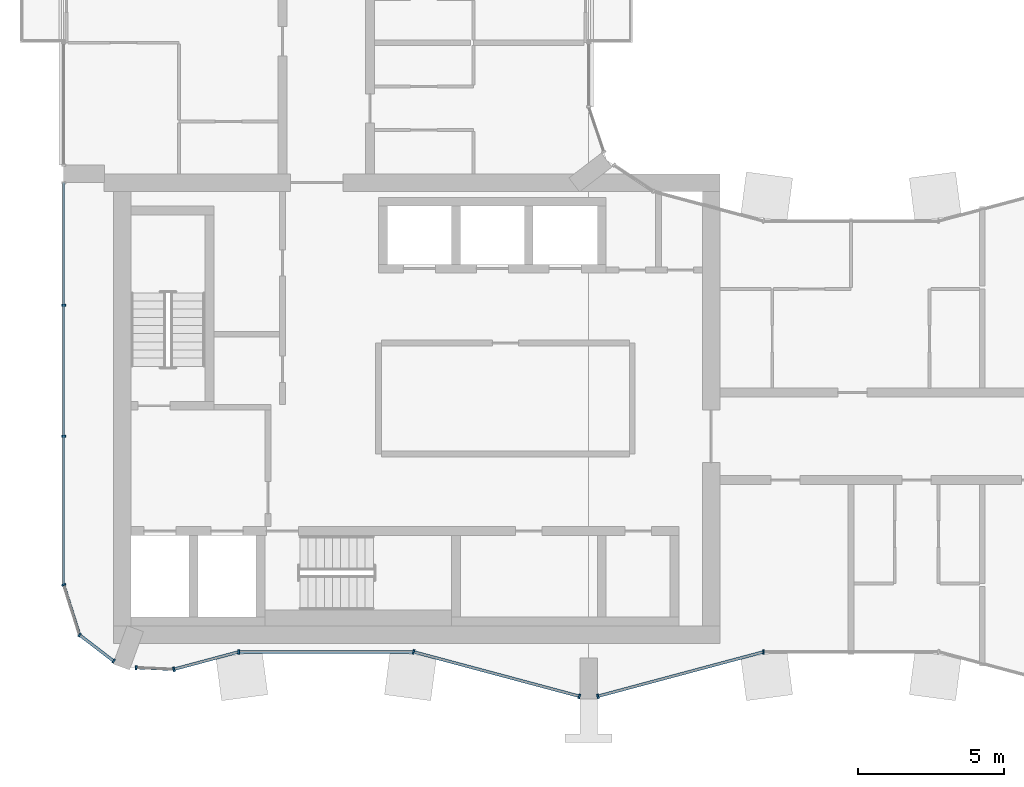
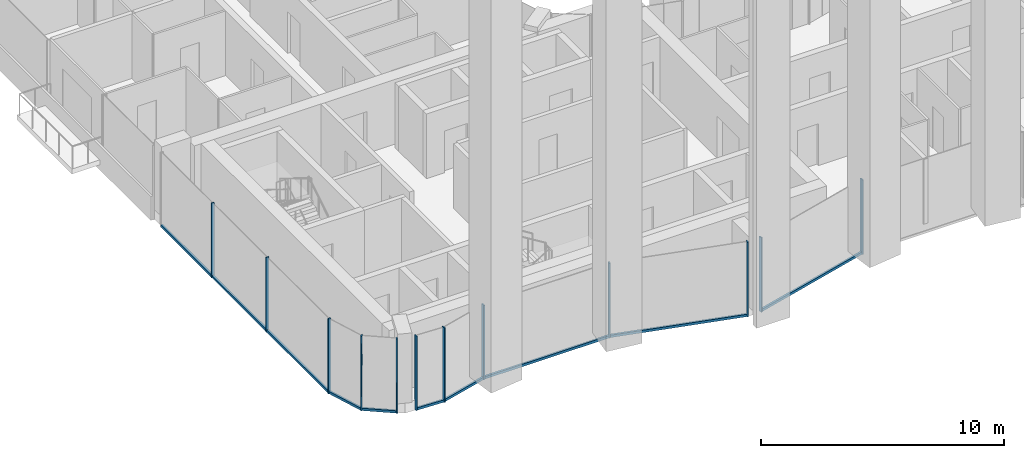
# One storey, part 2 of 18: 20 members, 9 elements without a shape of their own.
"""IFC4 building model written with IfcOpenShell, lengths in metres."""

from ifc_helpers import new_model, si_unit, direction, frame, origin, origin_2d, place, context, subcontext, project, spatial, rectangle, extrude, material, layer, layer_set, material_profile, profile_set, type_object, element, aggregate, save


model = new_model("IFC4")

# Units and contexts
model_context = context("Model", 3, precision=1e-05, world=origin(), true_north=direction((0.0, 1.0)))
body_context = subcontext(model_context, "Body", "Model", "MODEL_VIEW")
ifc_project = project(units=[si_unit("LENGTHUNIT", "METRE"), si_unit("AREAUNIT", "SQUARE_METRE"), si_unit("VOLUMEUNIT", "CUBIC_METRE"), si_unit("PLANEANGLEUNIT", "RADIAN"), si_unit("MASSUNIT", "GRAM", prefix="KILO")], contexts=[model_context])

# Site, building, storey
site_placement = place(None, origin())
site = spatial("IfcSite", under=ifc_project, at=site_placement, CompositionType="ELEMENT")
building_placement = place(site_placement, origin())
building = spatial("IfcBuilding", under=site, at=building_placement, Name="Plateau Cross Towers", CompositionType="ELEMENT")
storey_placement = place(building_placement, frame((0.0, 0.0, 139.39990234375)))
storey = spatial("IfcBuildingStorey", under=building, at=storey_placement, Name="L35", CompositionType="ELEMENT", Elevation=139.39990234375)

# Curtain wall, members
ifc_material_1 = material(Name="Dark low-iron glass", Category="glass")
ifc_layer_1 = layer(ifc_material_1, 0.239990234375)
ifc_layer_set_1 = layer_set([ifc_layer_1], Name="Dark low-iron glass")
curtain_wall_type_1 = type_object("IfcCurtainWallType", Name="Curtain wall flush unitised CW-B", PredefinedType="NOTDEFINED", material=ifc_layer_set_1)
curtain_wall_1_placement = place(storey_placement, origin())
curtain_wall_1 = element("IfcCurtainWall", 1, at=curtain_wall_1_placement, inside=storey, type_object=curtain_wall_type_1, Name="ENV/A/L35/A0_177", PredefinedType="NOTDEFINED")
ifc_material_2 = material(Name="Black anodised aluminium", Category="aluminium")
ifc_material_profile_1 = material_profile(ifc_material_2, rectangle(XDim=0.06005859375, YDim=0.139892578125, at=origin_2d()), Name="MULLION 60x140")
ifc_profile_set_1 = profile_set([ifc_material_profile_1], Name="Black anodised aluminium")
member_type_1 = type_object("IfcMemberType", Name="Mullion 60x140 flush unitised", PredefinedType="MULLION", material=ifc_profile_set_1)
member_1_placement = place(storey_placement, frame((0.0, 13.5, -0.5), z_axis=(0.0, 0.0, 1.0), x_axis=(0.0, -1.0, 0.0)))
member_1 = element("IfcMember", 2, at=member_1_placement, type_object=member_type_1, Name="CW-B mullion 2", PredefinedType="MULLION", context=body_context, shape_type="SweptSolid", body=[
    extrude(rectangle(XDim=0.06005859375, YDim=0.139892578125, at=origin_2d()), origin(), (0.0, 0.0, 1.0), 3.75),
])
member_2_placement = place(storey_placement, frame((0.0, 9.0, -0.5), z_axis=(0.0, 0.0, 1.0), x_axis=(0.0, -1.0, 0.0)))
member_2 = element("IfcMember", 3, at=member_2_placement, type_object=member_type_1, Name="CW-B mullion 3", PredefinedType="MULLION", context=body_context, shape_type="SweptSolid", body=[
    extrude(rectangle(XDim=0.06005859375, YDim=0.139892578125, at=origin_2d()), origin(), (0.0, 0.0, 1.0), 3.75),
])

# Curtain wall, member
curtain_wall_2_placement = place(storey_placement, origin())
curtain_wall_2 = element("IfcCurtainWall", 4, at=curtain_wall_2_placement, inside=storey, type_object=curtain_wall_type_1, Name="ENV/A/L35/A0_39", PredefinedType="NOTDEFINED")
member_3_placement = place(storey_placement, frame((0.0, 3.9091796875, -0.5), z_axis=(0.0, 0.0, 1.0), x_axis=(0.300686174994, -0.95372313811, 0.0)))
member_3 = element("IfcMember", 5, at=member_3_placement, type_object=member_type_1, Name="CW-B mullion 1", PredefinedType="MULLION", context=body_context, shape_type="SweptSolid", body=[
    extrude(rectangle(XDim=0.06005859375, YDim=0.139892578125, at=origin_2d()), origin(), (0.0, 0.0, 1.0), 3.75),
])

# Curtain wall, members
curtain_wall_3_placement = place(storey_placement, origin())
curtain_wall_3 = element("IfcCurtainWall", 6, at=curtain_wall_3_placement, inside=storey, type_object=curtain_wall_type_1, Name="ENV/A/L35/A5_22", PredefinedType="NOTDEFINED")
member_4_placement = place(storey_placement, frame((0.54248046875, 2.1884765625, -0.5), z_axis=(0.0, 0.0, 1.0), x_axis=(0.793315514529, -0.608810721331, 0.0)))
member_4 = element("IfcMember", 7, at=member_4_placement, type_object=member_type_1, Name="CW-B mullion 1", PredefinedType="MULLION", context=body_context, shape_type="SweptSolid", body=[
    extrude(rectangle(XDim=0.06005859375, YDim=0.139892578125, at=origin_2d()), origin(), (0.0, 0.0, 1.0), 3.75),
])
member_5_placement = place(storey_placement, frame((1.709716796875, 1.292724609375, -0.5), z_axis=(0.0, 0.0, 1.0), x_axis=(0.793315514529, -0.608810721331, 0.0)))
member_5 = element("IfcMember", 8, at=member_5_placement, type_object=member_type_1, Name="CW-B mullion 2", PredefinedType="MULLION", context=body_context, shape_type="SweptSolid", body=[
    extrude(rectangle(XDim=0.06005859375, YDim=0.139892578125, at=origin_2d()), origin(), (0.0, 0.0, 1.0), 3.75),
])

# Curtain wall, member
curtain_wall_4_placement = place(storey_placement, origin())
curtain_wall_4 = element("IfcCurtainWall", 9, at=curtain_wall_4_placement, inside=storey, type_object=curtain_wall_type_1, Name="ENV/A/L35/A25_11", PredefinedType="NOTDEFINED")
member_6_placement = place(storey_placement, frame((2.483642578125, 1.06787109375, -0.5), z_axis=(0.0, 0.0, 1.0), x_axis=(0.999043701491, -0.043722791671, 0.0)))
member_6 = element("IfcMember", 10, at=member_6_placement, type_object=member_type_1, Name="CW-B mullion 1", PredefinedType="MULLION", context=body_context, shape_type="SweptSolid", body=[
    extrude(rectangle(XDim=0.06005859375, YDim=0.139892578125, at=origin_2d()), origin(), (0.0, 0.0, 1.0), 3.75),
])

ifc_layer_2 = layer(ifc_material_1, 0.260009765625)
ifc_layer_set_2 = layer_set([ifc_layer_2], Name="Dark low-iron glass")
curtain_wall_type_2 = type_object("IfcCurtainWallType", Name="Curtain wall fluted unitised CW-A", PredefinedType="NOTDEFINED", material=ifc_layer_set_2)
curtain_wall_5_placement = place(storey_placement, origin())
curtain_wall_5 = element("IfcCurtainWall", 11, at=curtain_wall_5_placement, inside=storey, type_object=curtain_wall_type_2, Name="ENV/A/L35/A38_10", PredefinedType="NOTDEFINED")
ifc_material_profile_2 = material_profile(ifc_material_2, rectangle(XDim=0.06005859375, YDim=0.159912109375, at=origin_2d()), Name="MULLION 60x160")
ifc_profile_set_2 = profile_set([ifc_material_profile_2], Name="Black anodised aluminium")
member_type_2 = type_object("IfcMemberType", Name="Mullion 60x160 fluted unitised", PredefinedType="MULLION", material=ifc_profile_set_2)
member_7_placement = place(storey_placement, frame((3.776123046875, 1.01123046875, -0.5), z_axis=(0.0, 0.0, 1.0), x_axis=(0.965957962328, 0.258699081978, 0.0)))
member_7 = element("IfcMember", 12, at=member_7_placement, type_object=member_type_2, Name="CW-A mullion 1", PredefinedType="MULLION", context=body_context, shape_type="SweptSolid", body=[
    extrude(rectangle(XDim=0.06005859375, YDim=0.159912109375, at=origin_2d()), origin(), (0.0, 0.0, 1.0), 3.75),
])

curtain_wall_6_placement = place(storey_placement, origin())
curtain_wall_6 = element("IfcCurtainWall", 13, at=curtain_wall_6_placement, inside=storey, type_object=curtain_wall_type_2, Name="ENV/A/L35/A60_16", PredefinedType="NOTDEFINED")
member_8_placement = place(storey_placement, frame((6.0, 1.60693359375, -0.5), z_axis=(0.0, 0.0, 1.0), x_axis=(1.0, 0.0, 0.0)))
member_8 = element("IfcMember", 14, at=member_8_placement, type_object=member_type_2, Name="CW-A mullion 1", PredefinedType="MULLION", context=body_context, shape_type="SweptSolid", body=[
    extrude(rectangle(XDim=0.06005859375, YDim=0.159912109375, at=origin_2d()), origin(), (0.0, 0.0, 1.0), 3.75),
])

# Curtain wall, members
curtain_wall_7_placement = place(storey_placement, origin())
curtain_wall_7 = element("IfcCurtainWall", 15, at=curtain_wall_7_placement, inside=storey, type_object=curtain_wall_type_2, Name="ENV/A/L35/A120_16", PredefinedType="NOTDEFINED")
member_9_placement = place(storey_placement, frame((12.0, 1.60693359375, -0.5), z_axis=(0.0, 0.0, 1.0), x_axis=(0.965957983404, -0.258699003279, 0.0)))
member_9 = element("IfcMember", 16, at=member_9_placement, type_object=member_type_2, Name="CW-A mullion 1", PredefinedType="MULLION", context=body_context, shape_type="SweptSolid", body=[
    extrude(rectangle(XDim=0.06005859375, YDim=0.159912109375, at=origin_2d()), origin(), (0.0, 0.0, 1.0), 3.75),
])
member_10_placement = place(storey_placement, frame((17.68212890625, 0.085205078125, -0.5), z_axis=(0.0, 0.0, 1.0), x_axis=(0.965957983404, -0.258699003279, 0.0)))
member_10 = element("IfcMember", 17, at=member_10_placement, type_object=member_type_2, Name="CW-A mullion 2", PredefinedType="MULLION", context=body_context, shape_type="SweptSolid", body=[
    extrude(rectangle(XDim=0.06005859375, YDim=0.159912109375, at=origin_2d()), origin(), (0.0, 0.0, 1.0), 3.75),
])

# Curtain wall, member
curtain_wall_8_placement = place(storey_placement, origin())
curtain_wall_8 = element("IfcCurtainWall", 18, at=curtain_wall_8_placement, inside=storey, type_object=curtain_wall_type_2, Name="ENV/A/L35/A183_1", PredefinedType="NOTDEFINED")
member_11_placement = place(storey_placement, frame((18.31787109375, 0.085205078125, -0.5), z_axis=(0.0, 0.0, 1.0), x_axis=(0.965957983404, 0.258699003279, 0.0)))
member_11 = element("IfcMember", 19, at=member_11_placement, type_object=member_type_2, Name="CW-A mullion 1", PredefinedType="MULLION", context=body_context, shape_type="SweptSolid", body=[
    extrude(rectangle(XDim=0.06005859375, YDim=0.159912109375, at=origin_2d()), origin(), (0.0, 0.0, 1.0), 3.75),
])

curtain_wall_9_placement = place(storey_placement, origin())
curtain_wall_9 = element("IfcCurtainWall", 20, at=curtain_wall_9_placement, inside=storey, type_object=curtain_wall_type_2, Name="ENV/A/L35/A240_16", PredefinedType="NOTDEFINED")
member_12_placement = place(storey_placement, frame((24.0, 1.60693359375, -0.5), z_axis=(0.0, 0.0, 1.0), x_axis=(1.0, 0.0, 0.0)))
member_12 = element("IfcMember", 21, at=member_12_placement, type_object=member_type_2, Name="CW-A mullion 1", PredefinedType="MULLION", context=body_context, shape_type="SweptSolid", body=[
    extrude(rectangle(XDim=0.06005859375, YDim=0.159912109375, at=origin_2d()), origin(), (0.0, 0.0, 1.0), 3.75),
])
aggregate(curtain_wall_9, [member_12])

# Member
ifc_material_profile_3 = material_profile(ifc_material_2, rectangle(XDim=0.10009765625, YDim=0.1201171875, at=origin_2d()), Name="TRANSOM 100x120")
ifc_profile_set_3 = profile_set([ifc_material_profile_3], Name="Black anodised aluminium")
member_type_3 = type_object("IfcMemberType", Name="Transom 100x120 flush unitised", PredefinedType="USERDEFINED", material=ifc_profile_set_3)
member_13_placement = place(storey_placement, frame((0.0, 17.699951171875, -0.43994140625), z_axis=(0.0, -1.0, 0.0), x_axis=(1.0, 0.0, 0.0)))
member_13 = element("IfcMember", 22, at=member_13_placement, type_object=member_type_3, Name="CW-B transom", ObjectType="TRANSOM", PredefinedType="USERDEFINED", context=body_context, shape_type="SweptSolid", body=[
    extrude(rectangle(XDim=0.10009765625, YDim=0.1201171875, at=origin_2d()), origin(), (0.0, 0.0, 1.0), 13.790771484375),
])

aggregate(curtain_wall_1, [member_1, member_2, member_13])

member_14_placement = place(storey_placement, frame((0.0, 3.9091796875, -0.43994140625), z_axis=(0.30067799945, -0.953725715626, 0.0), x_axis=(0.953725715626, 0.30067799945, 0.0)))
member_14 = element("IfcMember", 23, at=member_14_placement, type_object=member_type_3, Name="CW-B transom", ObjectType="TRANSOM", PredefinedType="USERDEFINED", context=body_context, shape_type="SweptSolid", body=[
    extrude(rectangle(XDim=0.10009765625, YDim=0.1201171875, at=origin_2d()), origin(), (0.0, 0.0, 1.0), 1.80419921875),
])

aggregate(curtain_wall_2, [member_3, member_14])

member_15_placement = place(storey_placement, frame((0.54248046875, 2.1884765625, -0.43994140625), z_axis=(0.793320508571, -0.608804213751, 0.0), x_axis=(0.608804213751, 0.793320508571, 0.0)))
member_15 = element("IfcMember", 24, at=member_15_placement, type_object=member_type_3, Name="CW-B transom", ObjectType="TRANSOM", PredefinedType="USERDEFINED", context=body_context, shape_type="SweptSolid", body=[
    extrude(rectangle(XDim=0.10009765625, YDim=0.1201171875, at=origin_2d()), origin(), (0.0, 0.0, 1.0), 1.471435546875),
])

aggregate(curtain_wall_3, [member_4, member_5, member_15])

member_16_placement = place(storey_placement, frame((2.483642578125, 1.06787109375, -0.43994140625), z_axis=(0.999041144614, -0.043781175963, 0.0), x_axis=(0.043781175963, 0.999041144614, 0.0)))
member_16 = element("IfcMember", 25, at=member_16_placement, type_object=member_type_3, Name="CW-B transom", ObjectType="TRANSOM", PredefinedType="USERDEFINED", context=body_context, shape_type="SweptSolid", body=[
    extrude(rectangle(XDim=0.10009765625, YDim=0.1201171875, at=origin_2d()), origin(), (0.0, 0.0, 1.0), 1.293701171875),
])

aggregate(curtain_wall_4, [member_6, member_16])

ifc_material_profile_4 = material_profile(ifc_material_2, rectangle(XDim=0.10009765625, YDim=0.1201171875, at=origin_2d()), Name="TRANSOM 100x120")
ifc_profile_set_4 = profile_set([ifc_material_profile_4], Name="Black anodised aluminium")
member_type_4 = type_object("IfcMemberType", Name="Transom 100x120 fluted unitised", PredefinedType="USERDEFINED", material=ifc_profile_set_4)
member_17_placement = place(storey_placement, frame((3.776123046875, 1.01123046875, -0.43994140625), z_axis=(0.965945685136, 0.258744919501, 0.0), x_axis=(-0.258744919501, 0.965945685136, 0.0)))
member_17 = element("IfcMember", 26, at=member_17_placement, type_object=member_type_4, Name="CW-A transom", ObjectType="TRANSOM", PredefinedType="USERDEFINED", context=body_context, shape_type="SweptSolid", body=[
    extrude(rectangle(XDim=0.10009765625, YDim=0.1201171875, at=origin_2d()), origin(), (0.0, 0.0, 1.0), 2.30224609375),
])

aggregate(curtain_wall_5, [member_7, member_17])

member_18_placement = place(storey_placement, frame((6.0, 1.60693359375, -0.43994140625), z_axis=(1.0, 0.0, 0.0), x_axis=(0.0, 1.0, 0.0)))
member_18 = element("IfcMember", 27, at=member_18_placement, type_object=member_type_4, Name="CW-A transom", ObjectType="TRANSOM", PredefinedType="USERDEFINED", context=body_context, shape_type="SweptSolid", body=[
    extrude(rectangle(XDim=0.10009765625, YDim=0.1201171875, at=origin_2d()), origin(), (0.0, 0.0, 1.0), 6.0),
])

aggregate(curtain_wall_6, [member_8, member_18])

member_19_placement = place(storey_placement, frame((12.0, 1.60693359375, -0.43994140625), z_axis=(0.965959534794, -0.258693210465, 0.0), x_axis=(0.258693210465, 0.965959534794, 0.0)))
member_19 = element("IfcMember", 28, at=member_19_placement, type_object=member_type_4, Name="CW-A transom", ObjectType="TRANSOM", PredefinedType="USERDEFINED", context=body_context, shape_type="SweptSolid", body=[
    extrude(rectangle(XDim=0.10009765625, YDim=0.1201171875, at=origin_2d()), origin(), (0.0, 0.0, 1.0), 5.88232421875),
])

aggregate(curtain_wall_7, [member_9, member_10, member_19])

member_20_placement = place(storey_placement, frame((18.31787109375, 0.085205078125, -0.43994140625), z_axis=(0.965959534794, 0.258693210465, 0.0), x_axis=(-0.258693210465, 0.965959534794, 0.0)))
member_20 = element("IfcMember", 29, at=member_20_placement, type_object=member_type_4, Name="CW-A transom", ObjectType="TRANSOM", PredefinedType="USERDEFINED", context=body_context, shape_type="SweptSolid", body=[
    extrude(rectangle(XDim=0.10009765625, YDim=0.1201171875, at=origin_2d()), origin(), (0.0, 0.0, 1.0), 5.88232421875),
])

aggregate(curtain_wall_8, [member_11, member_20])

save(model, "model.ifc")
